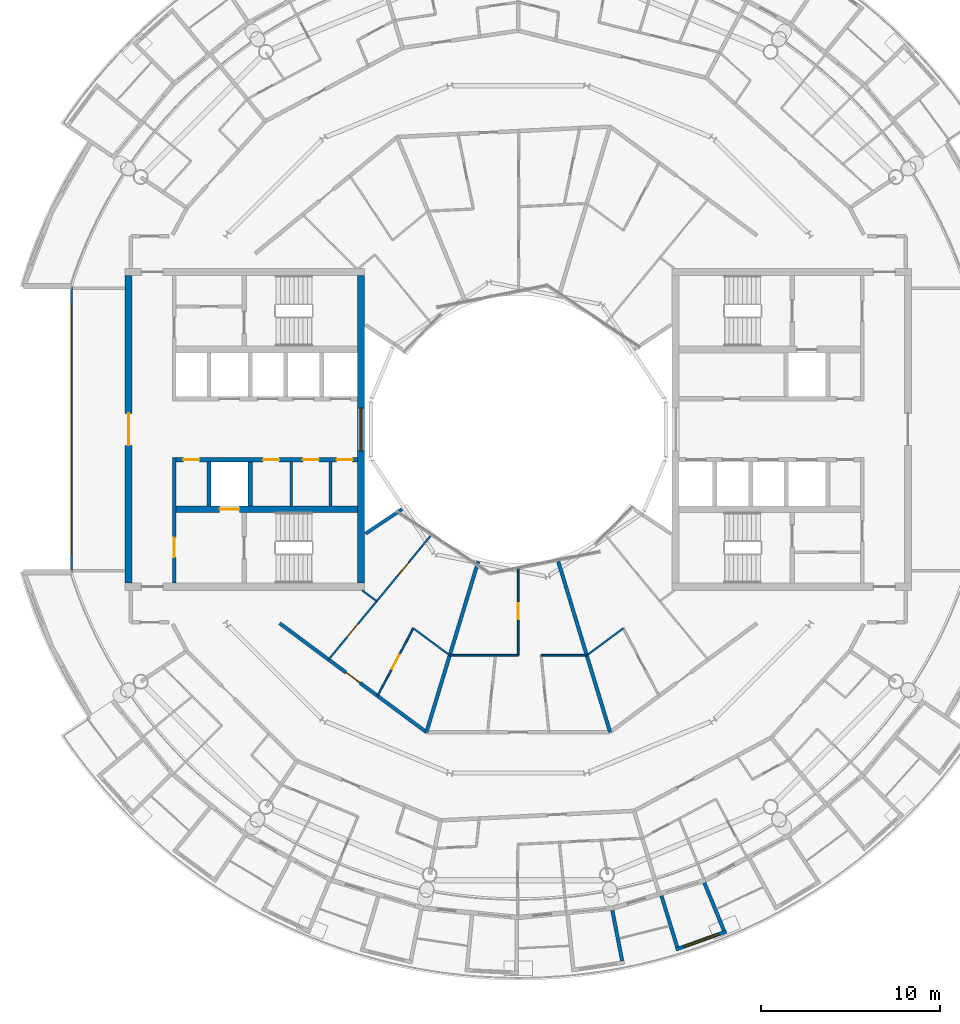
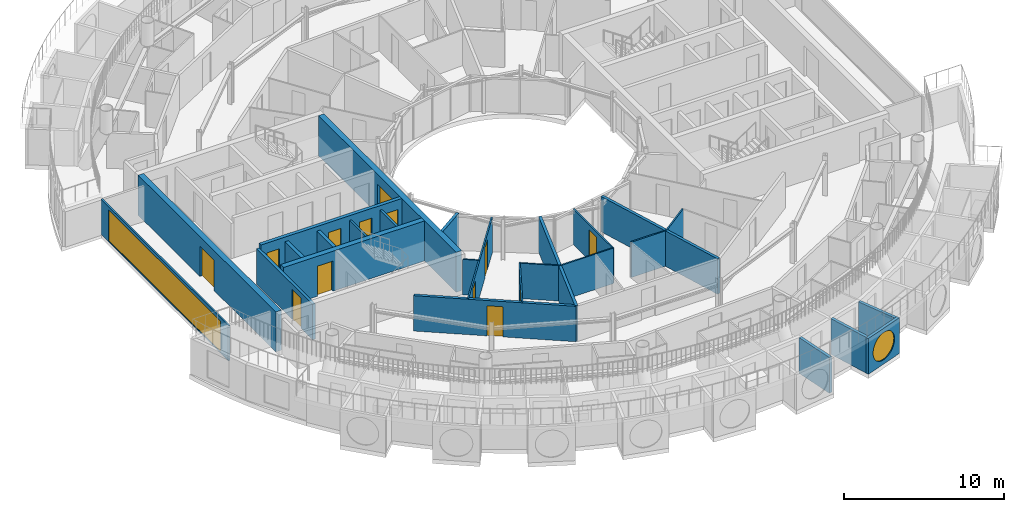
# One storey, part 16 of 29: 26 walls, 12 doors, 3 windows, 15 openings.
"""IFC4 building model written with IfcOpenShell, lengths in metres."""

from ifc_helpers import new_model, si_unit, direction, frame, frame_2d, origin, place, context, subcontext, project, spatial, rectangle, circle, extrude, material, layer, layer_set, type_object, element, fill, save


model = new_model("IFC4")

# Units and contexts
model_context = context("Model", 3, precision=1e-05, world=origin(), true_north=direction((0.0, 1.0)))
body_context = subcontext(model_context, "Body", "Model", "MODEL_VIEW")
ifc_project = project(units=[si_unit("LENGTHUNIT", "METRE"), si_unit("AREAUNIT", "SQUARE_METRE"), si_unit("VOLUMEUNIT", "CUBIC_METRE"), si_unit("PLANEANGLEUNIT", "RADIAN"), si_unit("MASSUNIT", "GRAM", prefix="KILO")], contexts=[model_context])

# Site, building, storey
site_placement = place(None, origin())
site = spatial("IfcSite", under=ifc_project, at=site_placement, CompositionType="ELEMENT")
building_placement = place(site_placement, origin())
building = spatial("IfcBuilding", under=site, at=building_placement, Name="Maasbend Ring Residences", CompositionType="ELEMENT")
storey_placement = place(building_placement, frame((0.0, 0.0, 234.050048828125)))
storey = spatial("IfcBuildingStorey", under=building, at=storey_placement, Name="L67", CompositionType="ELEMENT", Elevation=234.050048828125)

# Wall, openings, doors
ifc_material_1 = material(Name="Concrete C50/60", Category="concrete")
ifc_layer_1 = layer(ifc_material_1, 0.25)
ifc_layer_set_1 = layer_set([ifc_layer_1], Name="Concrete C50/60")
wall_type_1 = type_object("IfcWallType", Name="CORE WALL 250 C50/60", PredefinedType="SHEAR", material=ifc_layer_set_1)
wall_1_placement = place(storey_placement, frame((-9.0, -1.699951171875, 0.0), z_axis=(0.0, 0.0, 1.0), x_axis=(-1.0, 0.0, 0.0)))
wall_1 = element("IfcWall", 1, at=wall_1_placement, inside=storey, type_object=wall_type_1, Name="L67 core W wall SPN", PredefinedType="SHEAR", context=body_context, shape_type="SweptSolid", body=[
    extrude(rectangle(XDim=10.14990234375, YDim=0.25, at=frame_2d((5.074951171875, 0.0))), origin(), (0.0, 0.0, 1.0), 3.050048828125),
])
opening_1_placement = place(wall_1_placement, frame((0.262451171875, 0.0, 0.0)))
opening_1 = element("IfcOpeningElement", 2, at=opening_1_placement, cuts=wall_1, Name="Opening D-W6706", PredefinedType="OPENING", context=body_context, shape_type="SweptSolid", body=[
    extrude(rectangle(XDim=0.89990234375, YDim=2.300048828125, at=frame_2d((0.449951171875, 1.14990234375))), frame((0.0, 0.135009765625, 0.0), z_axis=(0.0, -1.0, 0.0), x_axis=(1.0, 0.0, 0.0)), (0.0, 0.0, 1.0), 0.27001953125),
])
opening_2_placement = place(wall_1_placement, frame((2.14990234375, 0.0, 0.0)))
opening_2 = element("IfcOpeningElement", 3, at=opening_2_placement, cuts=wall_1, Name="Opening D-W6707", PredefinedType="OPENING", context=body_context, shape_type="SweptSolid", body=[
    extrude(rectangle(XDim=0.89990234375, YDim=2.300048828125, at=frame_2d((0.449951171875, 1.14990234375))), frame((0.0, 0.135009765625, 0.0), z_axis=(0.0, -1.0, 0.0), x_axis=(1.0, 0.0, 0.0)), (0.0, 0.0, 1.0), 0.27001953125),
])
opening_3_placement = place(wall_1_placement, frame((4.375, 0.0, 0.0)))
opening_3 = element("IfcOpeningElement", 4, at=opening_3_placement, cuts=wall_1, Name="Opening D-W6708", PredefinedType="OPENING", context=body_context, shape_type="SweptSolid", body=[
    extrude(rectangle(XDim=0.89990234375, YDim=2.300048828125, at=frame_2d((0.449951171875, 1.14990234375))), frame((0.0, 0.135009765625, 0.0), z_axis=(0.0, -1.0, 0.0), x_axis=(1.0, 0.0, 0.0)), (0.0, 0.0, 1.0), 0.27001953125),
])
opening_4_placement = place(wall_1_placement, frame((8.83740234375, 0.0, 0.0)))
opening_4 = element("IfcOpeningElement", 5, at=opening_4_placement, cuts=wall_1, Name="Opening D-W6709", PredefinedType="OPENING", context=body_context, shape_type="SweptSolid", body=[
    extrude(rectangle(XDim=0.89990234375, YDim=2.300048828125, at=frame_2d((0.449951171875, 1.14990234375))), frame((0.0, 0.135009765625, 0.0), z_axis=(0.0, -1.0, 0.0), x_axis=(1.0, 0.0, 0.0)), (0.0, 0.0, 1.0), 0.27001953125),
])
ifc_material_2 = material(Name="Steel, powder coated", Category="steel")
door_type_1 = type_object("IfcDoorType", Name="ROOM DOOR 900 X 2300 FD30S", OperationType="NOTDEFINED", PredefinedType="DOOR", material=ifc_material_2)
door_1_placement = place(opening_1_placement, origin())
door_1 = element("IfcDoor", 6, at=door_1_placement, inside=storey, type_object=door_type_1, Name="Room door L67", OperationType="SINGLE_SWING_RIGHT", OverallHeight=2.300048828125, OverallWidth=0.89990234375, PredefinedType="DOOR", context=body_context, shape_type="SweptSolid", body=[
    extrude(rectangle(XDim=0.89990234375, YDim=2.300048828125, at=frame_2d((0.449951171875, 1.14990234375))), frame((0.0, 0.02490234375, 0.0), z_axis=(0.0, -1.0, 0.0), x_axis=(1.0, 0.0, 0.0)), (0.0, 0.0, 1.0), 0.050048828125),
])
fill(opening_1, door_1)
door_2_placement = place(opening_2_placement, origin())
door_2 = element("IfcDoor", 7, at=door_2_placement, inside=storey, type_object=door_type_1, Name="Room door L67", OperationType="SINGLE_SWING_RIGHT", OverallHeight=2.300048828125, OverallWidth=0.89990234375, PredefinedType="DOOR", context=body_context, shape_type="SweptSolid", body=[
    extrude(rectangle(XDim=0.89990234375, YDim=2.300048828125, at=frame_2d((0.449951171875, 1.14990234375))), frame((0.0, 0.02490234375, 0.0), z_axis=(0.0, -1.0, 0.0), x_axis=(1.0, 0.0, 0.0)), (0.0, 0.0, 1.0), 0.050048828125),
])
fill(opening_2, door_2)
door_3_placement = place(opening_3_placement, origin())
door_3 = element("IfcDoor", 8, at=door_3_placement, inside=storey, type_object=door_type_1, Name="Room door L67", OperationType="SINGLE_SWING_RIGHT", OverallHeight=2.300048828125, OverallWidth=0.89990234375, PredefinedType="DOOR", context=body_context, shape_type="SweptSolid", body=[
    extrude(rectangle(XDim=0.89990234375, YDim=2.300048828125, at=frame_2d((0.449951171875, 1.14990234375))), frame((0.0, 0.02490234375, 0.0), z_axis=(0.0, -1.0, 0.0), x_axis=(1.0, 0.0, 0.0)), (0.0, 0.0, 1.0), 0.050048828125),
])
fill(opening_3, door_3)
door_4_placement = place(opening_4_placement, origin())
door_4 = element("IfcDoor", 9, at=door_4_placement, inside=storey, type_object=door_type_1, Name="Room door L67", OperationType="SINGLE_SWING_LEFT", OverallHeight=2.300048828125, OverallWidth=0.89990234375, PredefinedType="DOOR", context=body_context, shape_type="SweptSolid", body=[
    extrude(rectangle(XDim=0.89990234375, YDim=2.300048828125, at=frame_2d((0.449951171875, 1.14990234375))), frame((0.0, 0.02490234375, 0.0), z_axis=(0.0, -1.0, 0.0), x_axis=(1.0, 0.0, 0.0)), (0.0, 0.0, 1.0), 0.050048828125),
])
fill(opening_4, door_4)

# Wall, opening, door
ifc_material_3 = material(Name="Concrete C50/60", Category="concrete")
ifc_layer_2 = layer(ifc_material_3, 0.375)
ifc_layer_set_2 = layer_set([ifc_layer_2], Name="Concrete C50/60")
wall_type_2 = type_object("IfcWallType", Name="CORE WALL 375 C50/60", PredefinedType="SHEAR", material=ifc_layer_set_2)
wall_2_placement = place(storey_placement, frame((-9.0, -4.46240234375, 0.0), z_axis=(0.0, 0.0, 1.0), x_axis=(-1.0, 0.0, 0.0)))
wall_2 = element("IfcWall", 10, at=wall_2_placement, inside=storey, type_object=wall_type_2, Name="L67 core W wall BN", PredefinedType="SHEAR", context=body_context, shape_type="SweptSolid", body=[
    extrude(rectangle(XDim=10.14990234375, YDim=0.375, at=frame_2d((5.074951171875, 0.0))), origin(), (0.0, 0.0, 1.0), 3.050048828125),
])
opening_5_placement = place(wall_2_placement, frame((6.60009765625, 0.0, 0.0)))
opening_5 = element("IfcOpeningElement", 11, at=opening_5_placement, cuts=wall_2, Name="Opening LD-W6701", PredefinedType="OPENING", context=body_context, shape_type="SweptSolid", body=[
    extrude(rectangle(XDim=1.10009765625, YDim=2.300048828125, at=frame_2d((0.550048828125, 1.14990234375))), frame((0.0, 0.197509765625, 0.0), z_axis=(0.0, -1.0, 0.0), x_axis=(1.0, 0.0, 0.0)), (0.0, 0.0, 1.0), 0.39501953125),
])
ifc_material_4 = material(Name="Stainless steel 316", Category="steel")
door_type_2 = type_object("IfcDoorType", Name="LANDING DOOR 1100 X 2300 FD60", OperationType="DOUBLE_DOOR_SLIDING", PredefinedType="DOOR", material=ifc_material_4)
door_5_placement = place(opening_5_placement, origin())
door_5 = element("IfcDoor", 12, at=door_5_placement, inside=storey, type_object=door_type_2, Name="Landing door FF-W L67", OperationType="DOUBLE_DOOR_SLIDING", OverallHeight=2.300048828125, OverallWidth=1.10009765625, PredefinedType="DOOR", context=body_context, shape_type="SweptSolid", body=[
    extrude(rectangle(XDim=1.10009765625, YDim=2.300048828125, at=frame_2d((0.550048828125, 1.14990234375))), frame((0.0, 0.02490234375, 0.0), z_axis=(0.0, -1.0, 0.0), x_axis=(1.0, 0.0, 0.0)), (0.0, 0.0, 1.0), 0.050048828125),
])
fill(opening_5, door_5)

ifc_material_5 = material(Name="Concrete C50/60", Category="concrete")
ifc_layer_3 = layer(ifc_material_5, 0.39990234375)
ifc_layer_set_3 = layer_set([ifc_layer_3], Name="Concrete C50/60")
wall_type_3 = type_object("IfcWallType", Name="CORE WALL 400 C50/60", PredefinedType="SHEAR", material=ifc_layer_set_3)
wall_3_placement = place(storey_placement, frame((-21.800048828125, -8.60009765625, 0.0), z_axis=(0.0, 0.0, 1.0), x_axis=(0.0, 1.0, 0.0)))
wall_3 = element("IfcWall", 13, at=wall_3_placement, inside=storey, type_object=wall_type_3, Name="L67 core W wall POUT", PredefinedType="SHEAR", context=body_context, shape_type="SweptSolid", body=[
    extrude(rectangle(XDim=17.2001953125, YDim=0.39990234375, at=frame_2d((8.60009765625, 0.0))), origin(), (0.0, 0.0, 1.0), 3.050048828125),
])
opening_6_placement = place(wall_3_placement, frame((7.699951171875, 0.0, 0.0)))
opening_6 = element("IfcOpeningElement", 14, at=opening_6_placement, cuts=wall_3, Name="Opening D-W6717", PredefinedType="OPENING", context=body_context, shape_type="SweptSolid", body=[
    extrude(rectangle(XDim=1.800048828125, YDim=2.300048828125, at=frame_2d((0.89990234375, 1.14990234375))), frame((0.0, 0.2099609375, 0.0), z_axis=(0.0, -1.0, 0.0), x_axis=(1.0, 0.0, 0.0)), (0.0, 0.0, 1.0), 0.419921875),
])
ifc_material_6 = material(Name="Aluminium frame, clear glass", Category="aluminium")
door_type_3 = type_object("IfcDoorType", Name="ENTRANCE DOOR 1800 X 2300 FD60", OperationType="NOTDEFINED", PredefinedType="DOOR", material=ifc_material_6)
door_6_placement = place(opening_6_placement, origin())
door_6 = element("IfcDoor", 15, at=door_6_placement, inside=storey, type_object=door_type_3, Name="Lobby glazed door L67", OperationType="SINGLE_SWING_LEFT", OverallHeight=2.300048828125, OverallWidth=1.800048828125, PredefinedType="DOOR", context=body_context, shape_type="SweptSolid", body=[
    extrude(rectangle(XDim=1.800048828125, YDim=2.300048828125, at=frame_2d((0.89990234375, 1.14990234375))), frame((0.0, 0.02490234375, 0.0), z_axis=(0.0, -1.0, 0.0), x_axis=(1.0, 0.0, 0.0)), (0.0, 0.0, 1.0), 0.050048828125),
])
fill(opening_6, door_6)

# Wall, opening, window
wall_4_placement = place(storey_placement, frame((-8.800048828125, 8.60009765625, 0.0), z_axis=(0.0, 0.0, 1.0), x_axis=(0.0, -1.0, 0.0)))
wall_4 = element("IfcWall", 16, at=wall_4_placement, inside=storey, type_object=wall_type_3, Name="L67 core W wall PIN", PredefinedType="SHEAR", context=body_context, shape_type="SweptSolid", body=[
    extrude(rectangle(XDim=17.2001953125, YDim=0.39990234375, at=frame_2d((8.60009765625, 0.0))), origin(), (0.0, 0.0, 1.0), 3.050048828125),
])
opening_7_placement = place(wall_4_placement, frame((7.39990234375, 0.0, 0.10009765625)))
opening_7 = element("IfcOpeningElement", 17, at=opening_7_placement, cuts=wall_4, Name="Opening W-W6701", PredefinedType="OPENING", context=body_context, shape_type="SweptSolid", body=[
    extrude(rectangle(XDim=2.39990234375, YDim=2.199951171875, at=frame_2d((1.199951171875, 1.10009765625))), frame((0.0, 0.2099609375, 0.0), z_axis=(0.0, -1.0, 0.0), x_axis=(1.0, 0.0, 0.0)), (0.0, 0.0, 1.0), 0.419921875),
])
ifc_material_7 = material(Name="Aluminium frame and clear glass", Category="aluminium")
window_type_1 = type_object("IfcWindowType", Name="FIXED WINDOW 2400 X 2200", PartitioningType="SINGLE_PANEL", PredefinedType="WINDOW", material=ifc_material_7)
window_1_placement = place(opening_7_placement, origin())
window_1 = element("IfcWindow", 18, at=window_1_placement, inside=storey, type_object=window_type_1, Name="Lobby window L67", OverallHeight=2.199951171875, OverallWidth=2.39990234375, PartitioningType="SINGLE_PANEL", PredefinedType="WINDOW", context=body_context, shape_type="SweptSolid", body=[
    extrude(rectangle(XDim=2.39990234375, YDim=2.199951171875, at=frame_2d((1.199951171875, 1.10009765625))), frame((0.0, 0.030029296875, 0.0), z_axis=(0.0, -1.0, 0.0), x_axis=(1.0, 0.0, 0.0)), (0.0, 0.0, 1.0), 0.06005859375),
])
fill(opening_7, window_1)

# Wall, opening, door
ifc_material_8 = material(Name="Concrete C30/37", Category="concrete")
ifc_layer_4 = layer(ifc_material_8, 0.199951171875)
ifc_layer_set_4 = layer_set([ifc_layer_4], Name="Concrete C30/37")
wall_type_4 = type_object("IfcWallType", Name="CORRIDOR WALL 200 CONCRETE", PredefinedType="PARTITIONING", material=ifc_layer_set_4)
wall_5_placement = place(storey_placement, frame((-13.34912109375, -10.847900390625, 0.0), z_axis=(0.0, 0.0, 1.0), x_axis=(0.803229232922, -0.595670042371, 0.0)))
wall_5 = element("IfcWall", 19, at=wall_5_placement, inside=storey, type_object=wall_type_4, Name="U-L67-w021", PredefinedType="PARTITIONING", context=body_context, shape_type="SweptSolid", body=[
    extrude(rectangle(XDim=10.223876953125, YDim=0.199951171875, at=frame_2d((5.11181640625, 0.0))), origin(), (0.0, 0.0, 1.0), 2.699951171875),
])
opening_8_placement = place(wall_5_placement, frame((4.612060546875, 0.0, 0.0)))
opening_8 = element("IfcOpeningElement", 20, at=opening_8_placement, cuts=wall_5, Name="Opening D-6754", PredefinedType="OPENING", context=body_context, shape_type="SweptSolid", body=[
    extrude(rectangle(XDim=1.0, YDim=2.300048828125, at=frame_2d((0.5, 1.14990234375))), frame((0.0, 0.10986328125, 0.0), z_axis=(0.0, -1.0, 0.0), x_axis=(1.0, 0.0, 0.0)), (0.0, 0.0, 1.0), 0.219970703125),
])
ifc_material_9 = material(Name="Timber, fire-rated, painted", Category="wood")
door_type_4 = type_object("IfcDoorType", Name="FLAT ENTRANCE DOOR 1000 X 2300 FIRE-RATED", OperationType="NOTDEFINED", PredefinedType="DOOR", material=ifc_material_9)
door_7_placement = place(opening_8_placement, origin())
door_7 = element("IfcDoor", 21, at=door_7_placement, inside=storey, type_object=door_type_4, Name="D-6754", OperationType="SINGLE_SWING_LEFT", OverallHeight=2.300048828125, OverallWidth=1.0, PredefinedType="DOOR", context=body_context, shape_type="SweptSolid", body=[
    extrude(rectangle(XDim=1.0, YDim=2.300048828125, at=frame_2d((0.5, 1.14990234375))), frame((0.0, 0.02490234375, 0.0), z_axis=(0.0, -1.0, 0.0), x_axis=(1.0, 0.0, 0.0)), (0.0, 0.0, 1.0), 0.050048828125),
])
fill(opening_8, door_7)

# Wall
ifc_material_10 = material(Name="Pale anodised aluminium panel", Category="aluminium")
ifc_layer_5 = layer(ifc_material_10, 0.199951171875)
ifc_layer_set_5 = layer_set([ifc_layer_5], Name="EW-BOX")
wall_type_5 = type_object("IfcWallType", Name="EW-BOX", PredefinedType="SOLIDWALL", material=ifc_layer_set_5)
wall_6_placement = place(storey_placement, frame((5.260986328125, -26.906982421875, -0.030029296875), z_axis=(0.0, 0.0, 1.0), x_axis=(0.191440729923, -0.981504175705, 0.0)))
element("IfcWall", 22, at=wall_6_placement, inside=storey, type_object=wall_type_5, Name="Box side wall S12 right", PredefinedType="SOLIDWALL", context=body_context, shape_type="SweptSolid", body=[
    extrude(rectangle(XDim=2.88330078125, YDim=0.199951171875, at=frame_2d((1.441650390625, 0.0))), origin(), (0.0, 0.0, 1.0), 2.72998046875),
])

# Wall, opening, window
wall_7_placement = place(storey_placement, frame((8.820068359375, -29.093017578125, -0.030029296875), z_axis=(0.0, 0.0, 1.0), x_axis=(0.941461077774, 0.337121697664, 0.0)))
wall_7 = element("IfcWall", 23, at=wall_7_placement, inside=storey, type_object=wall_type_5, Name="Box front S14", PredefinedType="SOLIDWALL", context=body_context, shape_type="SweptSolid", body=[
    extrude(rectangle(XDim=2.9931640625, YDim=0.199951171875, at=frame_2d((1.49658203125, 0.0))), origin(), (0.0, 0.0, 1.0), 2.72998046875),
])
opening_9_placement = place(wall_7_placement, frame((0.45654296875, 0.0, 0.330078125)))
opening_9 = element("IfcOpeningElement", 24, at=opening_9_placement, cuts=wall_7, Name="Opening W-RD", PredefinedType="OPENING", context=body_context, shape_type="SweptSolid", body=[
    extrude(circle(Radius=1.0400390625, at=frame_2d((1.0400390625, 1.0400390625))), frame((0.0, 0.10986328125, 0.0), z_axis=(0.0, -1.0, 0.0), x_axis=(1.0, 0.0, 0.0)), (0.0, 0.0, 1.0), 0.219970703125),
])
ifc_material_11 = material(Name="Aluminium and clear glass", Category="aluminium")
window_type_2 = type_object("IfcWindowType", Name="W-RD", PartitioningType="SINGLE_PANEL", PredefinedType="WINDOW", material=ifc_material_11)
window_2_placement = place(opening_9_placement, origin())
window_2 = element("IfcWindow", 25, at=window_2_placement, inside=storey, type_object=window_type_2, Name="Round window S14", OverallHeight=2.080078125, OverallWidth=2.080078125, PartitioningType="SINGLE_PANEL", PredefinedType="WINDOW", context=body_context, shape_type="SweptSolid", body=[
    extrude(circle(Radius=1.0400390625, at=frame_2d((1.0400390625, 1.0400390625))), frame((0.0, 0.030029296875, 0.0), z_axis=(0.0, -1.0, 0.0), x_axis=(1.0, 0.0, 0.0)), (0.0, 0.0, 1.0), 0.06005859375),
])
fill(opening_9, window_2)

# Walls
wall_8_placement = place(storey_placement, frame((8.009033203125, -26.092041015625, -0.030029296875), z_axis=(0.0, 0.0, 1.0), x_axis=(0.293406695073, -0.955987715029, 0.0)))
element("IfcWall", 26, at=wall_8_placement, inside=storey, type_object=wall_type_5, Name="Box side wall S14 left", PredefinedType="SOLIDWALL", context=body_context, shape_type="SweptSolid", body=[
    extrude(rectangle(XDim=3.00634765625, YDim=0.199951171875, at=frame_2d((1.503173828125, 0.0))), origin(), (0.0, 0.0, 1.0), 2.72998046875),
])
wall_9_placement = place(storey_placement, frame((10.408935546875, -25.364013671875, -0.030029296875), z_axis=(0.0, 0.0, 1.0), x_axis=(0.379509886562, -0.925187681501, 0.0)))
element("IfcWall", 27, at=wall_9_placement, inside=storey, type_object=wall_type_5, Name="Box side wall S14 right", PredefinedType="SOLIDWALL", context=body_context, shape_type="SweptSolid", body=[
    extrude(rectangle(XDim=2.882568359375, YDim=0.199951171875, at=frame_2d((1.44140625, 0.0))), origin(), (0.0, 0.0, 1.0), 2.72998046875),
])

# Wall, opening, window
ifc_material_12 = material(Name="Aluminium frame and clear glass", Category="aluminium")
ifc_layer_6 = layer(ifc_material_12, 0.1201171875)
ifc_layer_set_6 = layer_set([ifc_layer_6], Name="GLAZED SCREEN WALL 120 EI 60")
wall_type_6 = type_object("IfcWallType", Name="GLAZED SCREEN WALL 120 EI 60", PredefinedType="PARTITIONING", material=ifc_layer_set_6)
wall_10_placement = place(storey_placement, frame((-25.0, 7.949951171875, 0.0), z_axis=(0.0, 0.0, 1.0), x_axis=(0.0, -1.0, 0.0)))
wall_10 = element("IfcWall", 28, at=wall_10_placement, inside=storey, type_object=wall_type_6, Name="L67 core W wall FACE", PredefinedType="PARTITIONING", context=body_context, shape_type="SweptSolid", body=[
    extrude(rectangle(XDim=15.89990234375, YDim=0.1201171875, at=frame_2d((7.949951171875, 0.0))), origin(), (0.0, 0.0, 1.0), 2.699951171875),
])
opening_10_placement = place(wall_10_placement, frame((0.949951171875, 0.0, 0.10009765625)))
opening_10 = element("IfcOpeningElement", 29, at=opening_10_placement, cuts=wall_10, Name="Opening W-W6702", PredefinedType="OPENING", context=body_context, shape_type="SweptSolid", body=[
    extrude(rectangle(XDim=14.0, YDim=2.35009765625, at=frame_2d((7.0, 1.175048828125))), frame((0.0, 0.070068359375, 0.0), z_axis=(0.0, -1.0, 0.0), x_axis=(1.0, 0.0, 0.0)), (0.0, 0.0, 1.0), 0.14013671875),
])
ifc_material_13 = material(Name="Aluminium frame and clear glass", Category="aluminium")
window_type_3 = type_object("IfcWindowType", Name="FIXED WINDOW 14000 X 2350", PartitioningType="SINGLE_PANEL", PredefinedType="WINDOW", material=ifc_material_13)
window_3_placement = place(opening_10_placement, origin())
window_3 = element("IfcWindow", 30, at=window_3_placement, inside=storey, type_object=window_type_3, Name="Lobby window L67", OverallHeight=2.35009765625, OverallWidth=14.0, PartitioningType="SINGLE_PANEL", PredefinedType="WINDOW", context=body_context, shape_type="SweptSolid", body=[
    extrude(rectangle(XDim=14.0, YDim=2.35009765625, at=frame_2d((7.0, 1.175048828125))), frame((0.0, 0.030029296875, 0.0), z_axis=(0.0, -1.0, 0.0), x_axis=(1.0, 0.0, 0.0)), (0.0, 0.0, 1.0), 0.06005859375),
])
fill(opening_10, window_3)

# Walls
ifc_material_14 = material(Name="Gypsum board on steel studs", Category="steel")
ifc_layer_7 = layer(ifc_material_14, 0.10009765625)
ifc_layer_set_7 = layer_set([ifc_layer_7], Name="PARTITION 100 GYPSUM")
wall_type_7 = type_object("IfcWallType", Name="PARTITION 100 GYPSUM", PredefinedType="PARTITIONING", material=ifc_layer_set_7)
wall_11_placement = place(storey_placement, frame((-3.833984375, -12.639892578125, 0.0), z_axis=(0.0, 0.0, 1.0), x_axis=(1.0, 0.0, 0.0)))
element("IfcWall", 31, at=wall_11_placement, inside=storey, type_object=wall_type_7, Name="U-L67-w023", PredefinedType="PARTITIONING", context=body_context, shape_type="SweptSolid", body=[
    extrude(rectangle(XDim=3.833984375, YDim=0.10009765625, at=frame_2d((1.9169921875, 0.0))), origin(), (0.0, 0.0, 1.0), 2.699951171875),
])
wall_12_placement = place(storey_placement, frame((1.278076171875, -12.639892578125, 0.0), z_axis=(0.0, 0.0, 1.0), x_axis=(1.0, 0.0, 0.0)))
element("IfcWall", 32, at=wall_12_placement, inside=storey, type_object=wall_type_7, Name="U-L67-w024", PredefinedType="PARTITIONING", context=body_context, shape_type="SweptSolid", body=[
    extrude(rectangle(XDim=2.555908203125, YDim=0.10009765625, at=frame_2d((1.27783203125, 0.0))), origin(), (0.0, 0.0, 1.0), 2.699951171875),
])
wall_13_placement = place(storey_placement, frame((-8.742919921875, -9.0, 0.0), z_axis=(0.0, 0.0, 1.0), x_axis=(0.80321556998, -0.595688465677, 0.0)))
element("IfcWall", 33, at=wall_13_placement, inside=storey, type_object=wall_type_7, Name="U-L67-w025", PredefinedType="PARTITIONING", context=body_context, shape_type="SweptSolid", body=[
    extrude(rectangle(XDim=1.02587890625, YDim=0.10009765625, at=frame_2d((0.512939453125, 0.0))), origin(), (0.0, 0.0, 1.0), 2.699951171875),
])
for number, where, z_axis, x_axis, name in (
    (34, (-5.876953125, -11.125, 0.0), (0.0, 0.0, 1.0), (0.803259509791, -0.595629213463, 0.0), "U-L67-w026"),
    (35, (3.833984375, -12.639892578125, 0.0), (0.0, 0.0, 1.0), (0.803259509791, 0.595629213463, 0.0), "U-L67-w027"),
):
    element("IfcWall", number, at=place(storey_placement, frame(where, z_axis=z_axis, x_axis=x_axis)), inside=storey, type_object=wall_type_7, Name=name, PredefinedType="PARTITIONING", context=body_context, shape_type="SweptSolid", body=[
        extrude(rectangle(XDim=2.54345703125, YDim=0.10009765625, at=frame_2d((1.271728515625, 0.0))), origin(), (0.0, 0.0, 1.0), 2.699951171875),
    ])

# Wall, openings, doors
wall_14_placement = place(storey_placement, frame((-10.612060546875, -12.8779296875, 0.0), z_axis=(0.0, 0.0, 1.0), x_axis=(0.636115614725, 0.771593756262, 0.0)))
wall_14 = element("IfcWall", 36, at=wall_14_placement, inside=storey, type_object=wall_type_7, Name="U-L67-w051", PredefinedType="PARTITIONING", context=body_context, shape_type="SweptSolid", body=[
    extrude(rectangle(XDim=8.967041015625, YDim=0.10009765625, at=frame_2d((4.4833984375, 0.0))), origin(), (0.0, 0.0, 1.0), 2.699951171875),
])
opening_11_placement = place(wall_14_placement, frame((1.6669921875, 0.0, 0.0)))
opening_11 = element("IfcOpeningElement", 37, at=opening_11_placement, cuts=wall_14, Name="Opening D-6756", PredefinedType="OPENING", context=body_context, shape_type="SweptSolid", body=[
    extrude(rectangle(XDim=0.89990234375, YDim=2.300048828125, at=frame_2d((0.449951171875, 1.14990234375))), frame((0.0, 0.06005859375, 0.0), z_axis=(0.0, -1.0, 0.0), x_axis=(1.0, 0.0, 0.0)), (0.0, 0.0, 1.0), 0.1201171875),
])
opening_12_placement = place(wall_14_placement, frame((6.15087890625, 0.0, 0.0)))
opening_12 = element("IfcOpeningElement", 38, at=opening_12_placement, cuts=wall_14, Name="Opening D-6757", PredefinedType="OPENING", context=body_context, shape_type="SweptSolid", body=[
    extrude(rectangle(XDim=0.89990234375, YDim=2.300048828125, at=frame_2d((0.449951171875, 1.14990234375))), frame((0.0, 0.06005859375, 0.0), z_axis=(0.0, -1.0, 0.0), x_axis=(1.0, 0.0, 0.0)), (0.0, 0.0, 1.0), 0.1201171875),
])
ifc_material_15 = material(Name="Timber, painted", Category="wood")
door_type_5 = type_object("IfcDoorType", Name="INTERNAL DOOR 900 X 2300", OperationType="NOTDEFINED", PredefinedType="DOOR", material=ifc_material_15)
door_8_placement = place(opening_11_placement, origin())
door_8 = element("IfcDoor", 39, at=door_8_placement, inside=storey, type_object=door_type_5, Name="D-6756", OperationType="SINGLE_SWING_LEFT", OverallHeight=2.300048828125, OverallWidth=0.89990234375, PredefinedType="DOOR", context=body_context, shape_type="SweptSolid", body=[
    extrude(rectangle(XDim=0.89990234375, YDim=2.300048828125, at=frame_2d((0.449951171875, 1.14990234375))), frame((0.0, 0.02490234375, 0.0), z_axis=(0.0, -1.0, 0.0), x_axis=(1.0, 0.0, 0.0)), (0.0, 0.0, 1.0), 0.050048828125),
])
fill(opening_11, door_8)
door_9_placement = place(opening_12_placement, origin())
door_9 = element("IfcDoor", 40, at=door_9_placement, inside=storey, type_object=door_type_5, Name="D-6757", OperationType="SINGLE_SWING_RIGHT", OverallHeight=2.300048828125, OverallWidth=0.89990234375, PredefinedType="DOOR", context=body_context, shape_type="SweptSolid", body=[
    extrude(rectangle(XDim=0.89990234375, YDim=2.300048828125, at=frame_2d((0.449951171875, 1.14990234375))), frame((0.0, 0.02490234375, 0.0), z_axis=(0.0, -1.0, 0.0), x_axis=(1.0, 0.0, 0.0)), (0.0, 0.0, 1.0), 0.050048828125),
])
fill(opening_12, door_9)

# Wall, opening, door
wall_15_placement = place(storey_placement, frame((-7.873046875, -14.908935546875, 0.0), z_axis=(0.0, 0.0, 1.0), x_axis=(0.467030118529, 0.884241408432, 0.0)))
wall_15 = element("IfcWall", 41, at=wall_15_placement, inside=storey, type_object=wall_type_7, Name="U-L67-w057", PredefinedType="PARTITIONING", context=body_context, shape_type="SweptSolid", body=[
    extrude(rectangle(XDim=4.278076171875, YDim=0.10009765625, at=frame_2d((2.13916015625, 0.0))), origin(), (0.0, 0.0, 1.0), 2.699951171875),
])
opening_13_placement = place(wall_15_placement, frame((1.68896484375, 0.0, 0.0)))
opening_13 = element("IfcOpeningElement", 42, at=opening_13_placement, cuts=wall_15, Name="Opening D-6755", PredefinedType="OPENING", context=body_context, shape_type="SweptSolid", body=[
    extrude(rectangle(XDim=0.89990234375, YDim=2.300048828125, at=frame_2d((0.449951171875, 1.14990234375))), frame((0.0, 0.06005859375, 0.0), z_axis=(0.0, -1.0, 0.0), x_axis=(1.0, 0.0, 0.0)), (0.0, 0.0, 1.0), 0.1201171875),
])
door_10_placement = place(opening_13_placement, origin())
door_10 = element("IfcDoor", 43, at=door_10_placement, inside=storey, type_object=door_type_5, Name="D-6755", OperationType="SINGLE_SWING_LEFT", OverallHeight=2.300048828125, OverallWidth=0.89990234375, PredefinedType="DOOR", context=body_context, shape_type="SweptSolid", body=[
    extrude(rectangle(XDim=0.89990234375, YDim=2.300048828125, at=frame_2d((0.449951171875, 1.14990234375))), frame((0.0, 0.02490234375, 0.0), z_axis=(0.0, -1.0, 0.0), x_axis=(1.0, 0.0, 0.0)), (0.0, 0.0, 1.0), 0.050048828125),
])
fill(opening_13, door_10)

wall_16_placement = place(storey_placement, frame((0.0, -12.639892578125, 0.0), z_axis=(0.0, 0.0, 1.0), x_axis=(0.0, 1.0, 0.0)))
wall_16 = element("IfcWall", 44, at=wall_16_placement, inside=storey, type_object=wall_type_7, Name="U-L67-w067", PredefinedType="PARTITIONING", context=body_context, shape_type="SweptSolid", body=[
    extrude(rectangle(XDim=4.919921875, YDim=0.10009765625, at=frame_2d((2.4599609375, 0.0))), origin(), (0.0, 0.0, 1.0), 2.699951171875),
])
opening_14_placement = place(wall_16_placement, frame((2.010009765625, 0.0, 0.0)))
opening_14 = element("IfcOpeningElement", 45, at=opening_14_placement, cuts=wall_16, Name="Opening D-6761", PredefinedType="OPENING", context=body_context, shape_type="SweptSolid", body=[
    extrude(rectangle(XDim=0.89990234375, YDim=2.300048828125, at=frame_2d((0.449951171875, 1.14990234375))), frame((0.0, 0.06005859375, 0.0), z_axis=(0.0, -1.0, 0.0), x_axis=(1.0, 0.0, 0.0)), (0.0, 0.0, 1.0), 0.1201171875),
])
door_11_placement = place(opening_14_placement, origin())
door_11 = element("IfcDoor", 46, at=door_11_placement, inside=storey, type_object=door_type_5, Name="D-6761", OperationType="SINGLE_SWING_RIGHT", OverallHeight=2.300048828125, OverallWidth=0.89990234375, PredefinedType="DOOR", context=body_context, shape_type="SweptSolid", body=[
    extrude(rectangle(XDim=0.89990234375, YDim=2.300048828125, at=frame_2d((0.449951171875, 1.14990234375))), frame((0.0, 0.02490234375, 0.0), z_axis=(0.0, -1.0, 0.0), x_axis=(1.0, 0.0, 0.0)), (0.0, 0.0, 1.0), 0.050048828125),
])
fill(opening_14, door_11)

# Walls
ifc_material_16 = material(Name="Gypsum board on steel studs", Category="steel")
ifc_layer_8 = layer(ifc_material_16, 0.14990234375)
ifc_layer_set_8 = layer_set([ifc_layer_8], Name="PARTITION 150 EI 60")
wall_type_8 = type_object("IfcWallType", Name="PARTITION 150 EI 60", PredefinedType="PARTITIONING", material=ifc_layer_set_8)
for number, where, z_axis, x_axis, name in (
    (47, (-10.5, -1.824951171875, 0.0), (0.0, 0.0, 1.0), (0.0, -1.0, 0.0), "L67 core W wall PRN1050"),
    (48, (-12.699951171875, -1.824951171875, 0.0), (0.0, 0.0, 1.0), (0.0, -1.0, 0.0), "L67 core W wall PRN1270"),
):
    element("IfcWall", number, at=place(storey_placement, frame(where, z_axis=z_axis, x_axis=x_axis)), inside=storey, type_object=wall_type_8, Name=name, PredefinedType="PARTITIONING", context=body_context, shape_type="SweptSolid", body=[
        extrude(rectangle(XDim=2.449951171875, YDim=0.14990234375, at=frame_2d((1.22509765625, 0.0))), origin(), (0.0, 0.0, 1.0), 2.699951171875),
    ])
ifc_material_17 = material(Name="Concrete C30/37", Category="concrete")
ifc_layer_9 = layer(ifc_material_17, 0.199951171875)
ifc_layer_set_9 = layer_set([ifc_layer_9], Name="Concrete C30/37")
wall_type_9 = type_object("IfcWallType", Name="PARTY WALL 200 CONCRETE", PredefinedType="PARTITIONING", material=ifc_layer_set_9)
wall_17_placement = place(storey_placement, frame((-6.512939453125, -4.471923828125, 0.0), z_axis=(0.0, 0.0, 1.0), x_axis=(-0.831450132577, -0.555599385382, 0.0)))
element("IfcWall", 49, at=wall_17_placement, inside=storey, type_object=wall_type_9, Name="U-L67-w031", PredefinedType="PARTITIONING", context=body_context, shape_type="SweptSolid", body=[
    extrude(rectangle(XDim=2.442626953125, YDim=0.199951171875, at=frame_2d((1.22119140625, 0.0))), origin(), (0.0, 0.0, 1.0), 2.699951171875),
])
for number, where, z_axis, x_axis, name in (
    (50, (2.236083984375, -7.389892578125, 0.0), (0.0, 0.0, 1.0), (0.290580399904, -0.956850579344, 0.0), "U-L67-w035"),
    (51, (-5.137939453125, -16.93798828125, 0.0), (0.0, 0.0, 1.0), (0.290284403441, 0.956940418793, 0.0), "U-L67-w059"),
):
    element("IfcWall", number, at=place(storey_placement, frame(where, z_axis=z_axis, x_axis=x_axis)), inside=storey, type_object=wall_type_9, Name=name, PredefinedType="PARTITIONING", context=body_context, shape_type="SweptSolid", body=[
        extrude(rectangle(XDim=9.979736328125, YDim=0.199951171875, at=frame_2d((4.98974609375, 0.0))), origin(), (0.0, 0.0, 1.0), 2.699951171875),
    ])

# Wall, opening, door
ifc_material_18 = material(Name="Concrete C30/37", Category="concrete")
ifc_layer_10 = layer(ifc_material_18, 0.199951171875)
ifc_layer_set_10 = layer_set([ifc_layer_10], Name="Concrete C30/37")
wall_type_10 = type_object("IfcWallType", Name="SHAFT WALL 200 EI 120", PredefinedType="SOLIDWALL", material=ifc_layer_set_10)
wall_18_placement = place(storey_placement, frame((-19.25, -1.574951171875, 0.0), z_axis=(0.0, 0.0, 1.0), x_axis=(0.0, -1.0, 0.0)))
wall_18 = element("IfcWall", 52, at=wall_18_placement, inside=storey, type_object=wall_type_10, Name="L67 core W wall ENDN", PredefinedType="SOLIDWALL", context=body_context, shape_type="SweptSolid", body=[
    extrude(rectangle(XDim=7.025146484375, YDim=0.199951171875, at=frame_2d((3.5126953125, 0.0))), origin(), (0.0, 0.0, 1.0), 2.699951171875),
])
opening_15_placement = place(wall_18_placement, frame((4.47509765625, 0.0, 0.0)))
opening_15 = element("IfcOpeningElement", 53, at=opening_15_placement, cuts=wall_18, Name="Opening D-W6713", PredefinedType="OPENING", context=body_context, shape_type="SweptSolid", body=[
    extrude(rectangle(XDim=1.10009765625, YDim=2.300048828125, at=frame_2d((0.550048828125, 1.14990234375))), frame((0.0, 0.10986328125, 0.0), z_axis=(0.0, -1.0, 0.0), x_axis=(1.0, 0.0, 0.0)), (0.0, 0.0, 1.0), 0.219970703125),
])
ifc_material_19 = material(Name="Steel, powder coated", Category="steel")
door_type_6 = type_object("IfcDoorType", Name="LOBBY DOOR 1100 X 2300 FD60", OperationType="NOTDEFINED", PredefinedType="DOOR", material=ifc_material_19)
door_12_placement = place(opening_15_placement, origin())
door_12 = element("IfcDoor", 54, at=door_12_placement, inside=storey, type_object=door_type_6, Name="Lobby door L67", OperationType="SINGLE_SWING_LEFT", OverallHeight=2.300048828125, OverallWidth=1.10009765625, PredefinedType="DOOR", context=body_context, shape_type="SweptSolid", body=[
    extrude(rectangle(XDim=1.10009765625, YDim=2.300048828125, at=frame_2d((0.550048828125, 1.14990234375))), frame((0.0, 0.02490234375, 0.0), z_axis=(0.0, -1.0, 0.0), x_axis=(1.0, 0.0, 0.0)), (0.0, 0.0, 1.0), 0.050048828125),
])
fill(opening_15, door_12)

# Walls
ifc_material_20 = material(Name="Concrete C30/37", Category="concrete")
ifc_layer_11 = layer(ifc_material_20, 0.25)
ifc_layer_set_11 = layer_set([ifc_layer_11], Name="Concrete C30/37")
wall_type_11 = type_object("IfcWallType", Name="SHAFT WALL 250 EI 120", PredefinedType="SOLIDWALL", material=ifc_layer_set_11)
for number, where, z_axis, x_axis, name in (
    (55, (-15.0, -1.824951171875, 0.0), (0.0, 0.0, 1.0), (0.0, -1.0, 0.0), "L67 core W wall D150N"),
    (56, (-17.300048828125, -1.824951171875, 0.0), (0.0, 0.0, 1.0), (0.0, -1.0, 0.0), "L67 core W wall D173N"),
):
    element("IfcWall", number, at=place(storey_placement, frame(where, z_axis=z_axis, x_axis=x_axis)), inside=storey, type_object=wall_type_11, Name=name, PredefinedType="SOLIDWALL", context=body_context, shape_type="SweptSolid", body=[
        extrude(rectangle(XDim=2.449951171875, YDim=0.25, at=frame_2d((1.22509765625, 0.0))), origin(), (0.0, 0.0, 1.0), 2.699951171875),
    ])

save(model, "model.ifc")
